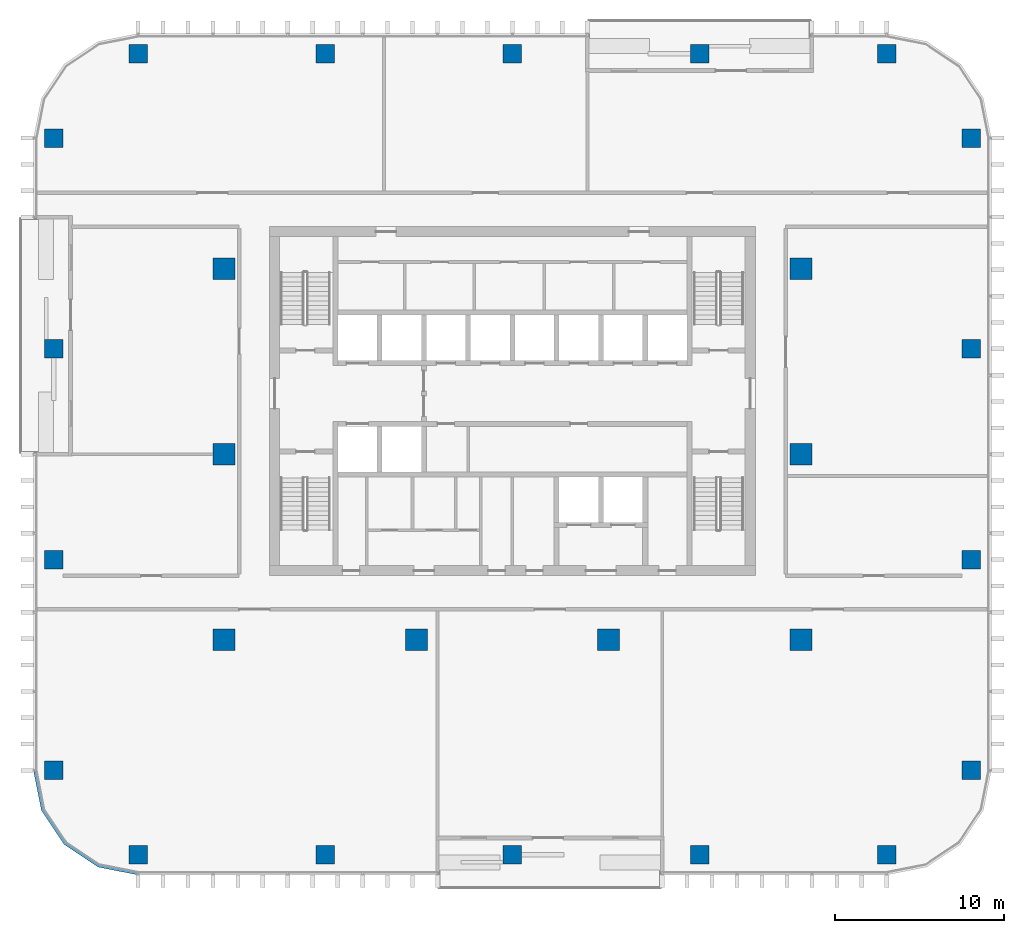
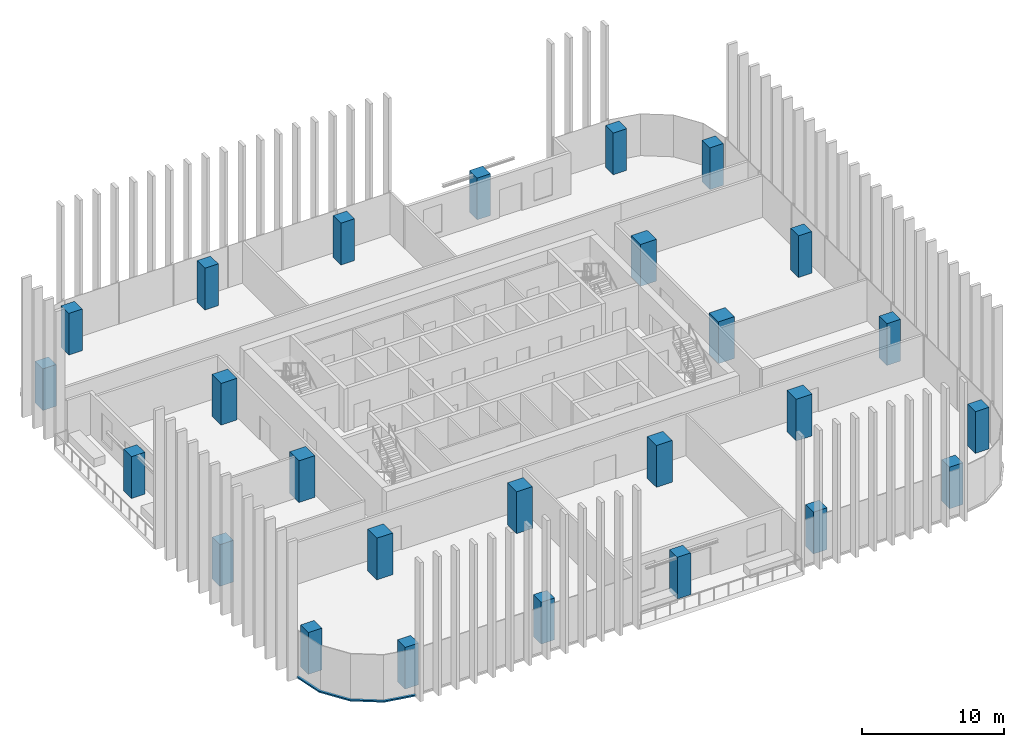
# One storey, part 1 of 16: 26 columns, 1 member, 1 element without a shape of its own.
"""IFC4 building model written with IfcOpenShell, lengths in metres."""

from ifc_helpers import new_model, si_unit, direction, frame, origin, origin_2d, place, context, subcontext, project, spatial, polyline, rectangle, outline, extrude, material, material_profile, profile_set, type_object, element, aggregate, save


model = new_model("IFC4")

# Units and contexts
model_context = context("Model", 3, precision=1e-05, world=origin(), true_north=direction((0.0, 1.0)))
body_context = subcontext(model_context, "Body", "Model", "MODEL_VIEW")
ifc_project = project(units=[si_unit("LENGTHUNIT", "METRE"), si_unit("AREAUNIT", "SQUARE_METRE"), si_unit("VOLUMEUNIT", "CUBIC_METRE"), si_unit("PLANEANGLEUNIT", "RADIAN"), si_unit("MASSUNIT", "GRAM", prefix="KILO")], contexts=[model_context])

# Site, building, storey
site_placement = place(None, origin())
site = spatial("IfcSite", under=ifc_project, at=site_placement, CompositionType="ELEMENT")
building_placement = place(site_placement, origin())
building = spatial("IfcBuilding", under=site, at=building_placement, Name="Mopane Tessera Tower", CompositionType="ELEMENT")
storey_placement = place(building_placement, frame((0.0, 0.0, 235.0)))
storey = spatial("IfcBuildingStorey", under=building, at=storey_placement, Name="L50", CompositionType="ELEMENT", Elevation=235.0)

# Columns
ifc_material_1 = material(Name="Concrete C50/60", Category="concrete")
ifc_material_profile_1 = material_profile(ifc_material_1, rectangle(XDim=1.300048828125, YDim=1.300048828125, at=origin_2d()))
ifc_profile_set_1 = profile_set([ifc_material_profile_1], Name="Concrete C50/60")
column_type_1 = type_object("IfcColumnType", Name="Interior column 1300 x 1300 C50/60", PredefinedType="COLUMN", material=ifc_profile_set_1)
for number, where, z_axis, x_axis, name in (
    (1, (-17.10009765625, -11.0, 0.0), (0.0, 0.0, 1.0), (1.0, 0.0, 0.0), "Interior column I1A L50"),
    (2, (-17.10009765625, 0.0, 0.0), (0.0, 0.0, 1.0), (1.0, 0.0, 0.0), "Interior column I1B L50"),
    (3, (-17.10009765625, 11.0, 0.0), (0.0, 0.0, 1.0), (1.0, 0.0, 0.0), "Interior column I1C L50"),
    (4, (-5.699951171875, -11.0, 0.0), (0.0, 0.0, 1.0), (1.0, 0.0, 0.0), "Interior column I2A L50"),
    (5, (5.699951171875, -11.0, 0.0), (0.0, 0.0, 1.0), (1.0, 0.0, 0.0), "Interior column I3A L50"),
    (6, (17.10009765625, -11.0, 0.0), (0.0, 0.0, 1.0), (1.0, 0.0, 0.0), "Interior column I4A L50"),
    (7, (17.10009765625, 0.0, 0.0), (0.0, 0.0, 1.0), (1.0, 0.0, 0.0), "Interior column I4B L50"),
    (8, (17.10009765625, 11.0, 0.0), (0.0, 0.0, 1.0), (1.0, 0.0, 0.0), "Interior column I4C L50"),
):
    element("IfcColumn", number, at=place(storey_placement, frame(where, z_axis=z_axis, x_axis=x_axis)), inside=storey, type_object=column_type_1, Name=name, PredefinedType="COLUMN", context=body_context, shape_type="SweptSolid", body=[
        extrude(rectangle(XDim=1.300048828125, YDim=1.300048828125, at=origin_2d()), origin(), (0.0, 0.0, 1.0), 3.60009765625),
    ])
ifc_material_2 = material(Name="Concrete C50/60", Category="concrete")
ifc_material_profile_2 = material_profile(ifc_material_2, rectangle(XDim=1.10009765625, YDim=1.10009765625, at=origin_2d()))
ifc_profile_set_2 = profile_set([ifc_material_profile_2], Name="Concrete C50/60")
column_type_2 = type_object("IfcColumnType", Name="Ring column 1100 x 1100 C50/60", PredefinedType="COLUMN", material=ifc_profile_set_2)
for number, where, z_axis, x_axis, name in (
    (9, (-22.199951171875, -23.75, 0.0), (0.0, 0.0, 1.0), (1.0, 0.0, 0.0), "Ring column S0 L50"),
    (10, (-11.10009765625, -23.75, 0.0), (0.0, 0.0, 1.0), (1.0, 0.0, 0.0), "Ring column S1 L50"),
    (11, (0.0, -23.75, 0.0), (0.0, 0.0, 1.0), (1.0, 0.0, 0.0), "Ring column S2 L50"),
    (12, (11.10009765625, -23.75, 0.0), (0.0, 0.0, 1.0), (1.0, 0.0, 0.0), "Ring column S3 L50"),
    (13, (22.199951171875, -23.75, 0.0), (0.0, 0.0, 1.0), (1.0, 0.0, 0.0), "Ring column S4 L50"),
    (14, (27.199951171875, -18.75, 0.0), (0.0, 0.0, 1.0), (1.0, 0.0, 0.0), "Ring column E0 L50"),
    (15, (27.199951171875, -6.25, 0.0), (0.0, 0.0, 1.0), (1.0, 0.0, 0.0), "Ring column E1 L50"),
    (16, (27.199951171875, 6.25, 0.0), (0.0, 0.0, 1.0), (1.0, 0.0, 0.0), "Ring column E2 L50"),
    (17, (27.199951171875, 18.75, 0.0), (0.0, 0.0, 1.0), (1.0, 0.0, 0.0), "Ring column E3 L50"),
    (18, (22.199951171875, 23.75, 0.0), (0.0, 0.0, 1.0), (1.0, 0.0, 0.0), "Ring column N0 L50"),
    (19, (11.10009765625, 23.75, 0.0), (0.0, 0.0, 1.0), (1.0, 0.0, 0.0), "Ring column N1 L50"),
    (20, (0.0, 23.75, 0.0), (0.0, 0.0, 1.0), (1.0, 0.0, 0.0), "Ring column N2 L50"),
    (21, (-11.10009765625, 23.75, 0.0), (0.0, 0.0, 1.0), (1.0, 0.0, 0.0), "Ring column N3 L50"),
    (22, (-22.199951171875, 23.75, 0.0), (0.0, 0.0, 1.0), (1.0, 0.0, 0.0), "Ring column N4 L50"),
    (23, (-27.199951171875, 18.75, 0.0), (0.0, 0.0, 1.0), (1.0, 0.0, 0.0), "Ring column W0 L50"),
    (24, (-27.199951171875, 6.25, 0.0), (0.0, 0.0, 1.0), (1.0, 0.0, 0.0), "Ring column W1 L50"),
    (25, (-27.199951171875, -6.25, 0.0), (0.0, 0.0, 1.0), (1.0, 0.0, 0.0), "Ring column W2 L50"),
    (26, (-27.199951171875, -18.75, 0.0), (0.0, 0.0, 1.0), (1.0, 0.0, 0.0), "Ring column W3 L50"),
):
    element("IfcColumn", number, at=place(storey_placement, frame(where, z_axis=z_axis, x_axis=x_axis)), inside=storey, type_object=column_type_2, Name=name, PredefinedType="COLUMN", context=body_context, shape_type="SweptSolid", body=[
        extrude(rectangle(XDim=1.10009765625, YDim=1.10009765625, at=origin_2d()), origin(), (0.0, 0.0, 1.0), 3.60009765625),
    ])

# Curtain wall, member
ifc_material_3 = material(Name="Aluminium frame", Category="aluminium")
curtain_wall_type = type_object("IfcCurtainWallType", Name="Unitised curtain wall", PredefinedType="NOTDEFINED", material=ifc_material_3)
curtain_wall_placement = place(storey_placement, origin())
curtain_wall = element("IfcCurtainWall", 27, at=curtain_wall_placement, inside=storey, type_object=curtain_wall_type, Name="e:cw:L50:CW", PredefinedType="NOTDEFINED")
ifc_material_4 = material(Name="Aluminium frame", Category="aluminium")
ifc_material_profile_3 = material_profile(ifc_material_4, rectangle(XDim=0.199951171875, YDim=0.1201171875, at=origin_2d()))
ifc_profile_set_3 = profile_set([ifc_material_profile_3], Name="Aluminium frame")
member_type = type_object("IfcMemberType", Name="Aluminium transom 200 x 120", PredefinedType="USERDEFINED", material=ifc_profile_set_3)
member_placement = place(storey_placement, frame((0.0, 0.0, -0.39990234375)))
member = element("IfcMember", 28, at=member_placement, type_object=member_type, Name="e:cw:L50:CW:tr", ObjectType="TRANSOM", PredefinedType="USERDEFINED", context=body_context, shape_type="SweptSolid", body=[
    extrude(outline(polyline([(-28.199951171875, -18.75), (-27.7431640625, -21.046142578125), (-26.442626953125, -22.99267578125), (-24.49609375, -24.293212890625), (-22.199951171875, -24.75), (-22.199951171875, -24.949951171875), (-24.57275390625, -24.47802734375), (-26.583984375, -23.134033203125), (-27.927978515625, -21.12255859375), (-28.39990234375, -18.75), (-28.199951171875, -18.75)])), origin(), (0.0, 0.0, 1.0), 0.119873046875),
])
aggregate(curtain_wall, [member])

save(model, "model.ifc")
